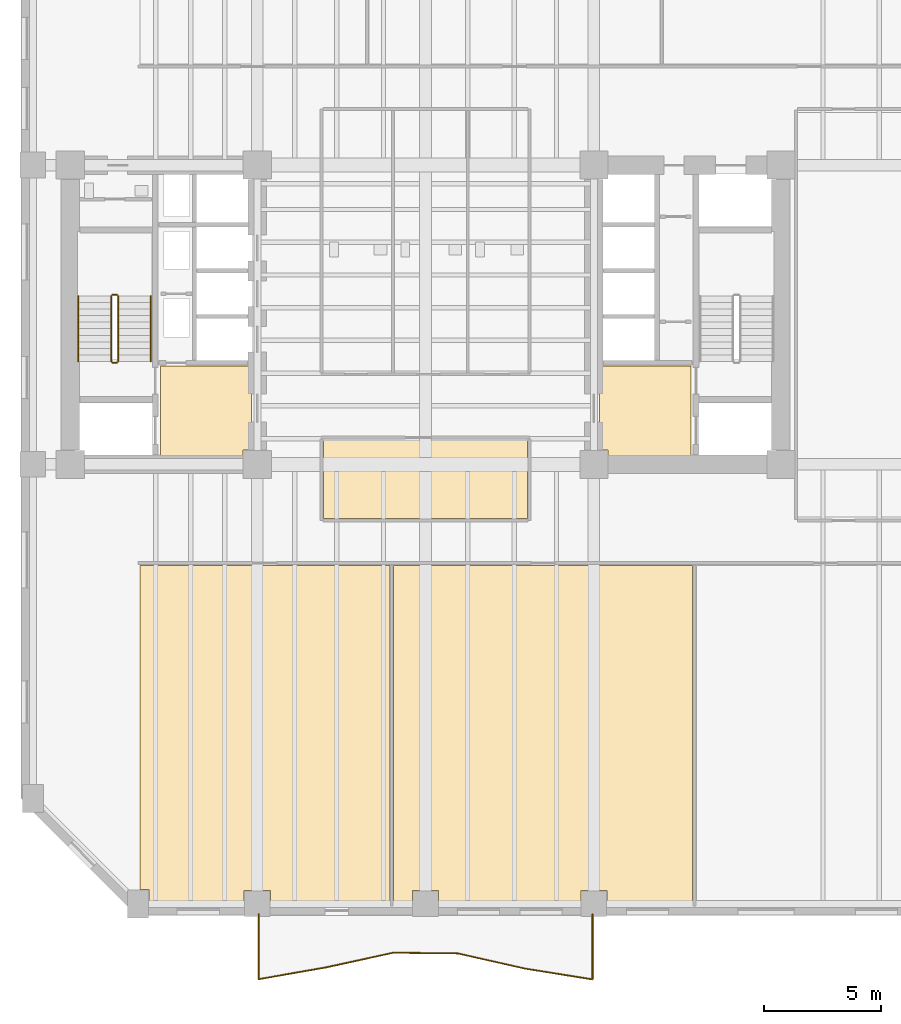
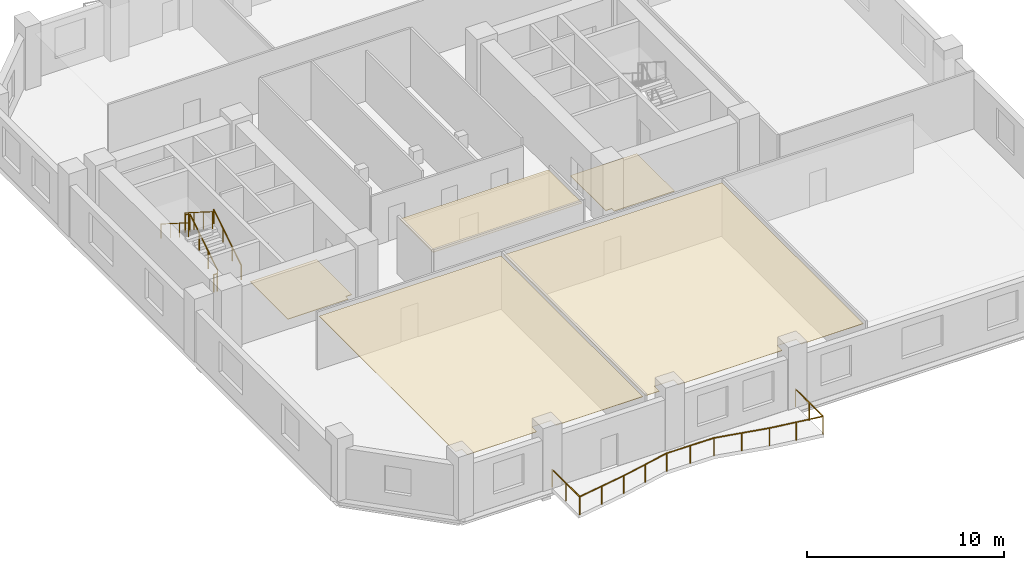
# One storey, part 6 of 9: 7 railings, 5 coverings.
"""IFC4 building model written with IfcOpenShell, lengths in metres."""

from ifc_helpers import new_model, si_unit, direction, frame, origin, origin_2d, place, context, subcontext, project, spatial, polyline, circle, outline, extrude, material, layer, layer_set, type_object, element, save


model = new_model("IFC4")

# Units and contexts
model_context = context("Model", 3, precision=1e-05, world=origin(), true_north=direction((0.0, 1.0)))
body_context = subcontext(model_context, "Body", "Model", "MODEL_VIEW")
ifc_project = project(units=[si_unit("LENGTHUNIT", "METRE"), si_unit("AREAUNIT", "SQUARE_METRE"), si_unit("VOLUMEUNIT", "CUBIC_METRE"), si_unit("PLANEANGLEUNIT", "RADIAN"), si_unit("MASSUNIT", "GRAM", prefix="KILO")], contexts=[model_context])

# Site, building, storey
site_placement = place(None, origin())
site = spatial("IfcSite", under=ifc_project, at=site_placement, CompositionType="ELEMENT")
building_placement = place(site_placement, origin())
building = spatial("IfcBuilding", under=site, at=building_placement, Name="Kranthara Brick Stack", CompositionType="ELEMENT")
storey_placement = place(building_placement, frame((0.0, 0.0, 51.60009765625)))
storey = spatial("IfcBuildingStorey", under=building, at=storey_placement, Name="L12", CompositionType="ELEMENT", Elevation=51.60009765625)

# Coverings
ifc_material_1 = material(Name="Perforated mineral-fibre acoustic ceiling tile", Category="other")
ifc_layer_1 = layer(ifc_material_1, 0.02490234375)
ifc_layer_set_1 = layer_set([ifc_layer_1], Name="Perforated mineral-fibre acoustic ceiling tile")
covering_type_1 = type_object("IfcCoveringType", Name="COV-CEIL-ACOUSTIC", PredefinedType="CEILING", material=ifc_layer_set_1)
covering_1_placement = place(storey_placement, frame((0.0, 0.0, 3.329833984375)))
element("IfcCovering", 1, at=covering_1_placement, inside=storey, type_object=covering_type_1, Name="L12 L12 Central Executive Briefing Room Acoustic Ceiling", PredefinedType="CEILING", context=body_context, shape_type="SweptSolid", body=[
    extrude(outline(polyline([(32.3701171875, 18.47998046875), (32.3701171875, 21.8798828125), (23.6298828125, 21.8798828125), (23.6298828125, 18.47998046875), (32.3701171875, 18.47998046875)])), origin(), (0.0, 0.0, 1.0), 0.025146484375),
])
covering_2_placement = place(storey_placement, frame((0.0, 0.0, 3.329833984375)))
element("IfcCovering", 2, at=covering_2_placement, inside=storey, type_object=covering_type_1, Name="L12 L12 Open Plan Workspace 1 Acoustic Ceiling", PredefinedType="CEILING", context=body_context, shape_type="SweptSolid", body=[
    extrude(outline(polyline([(26.469970703125, 16.47998046875), (26.469970703125, 2.070068359375), (21.360107421875, 2.070068359375), (21.360107421875, 2.56005859375), (20.239990234375, 2.56005859375), (20.239990234375, 2.070068359375), (16.159912109375, 2.070068359375), (16.159912109375, 2.610107421875), (15.780029296875, 2.610107421875), (15.780029296875, 16.47998046875), (26.469970703125, 16.47998046875)])), origin(), (0.0, 0.0, 1.0), 0.025146484375),
])
covering_3_placement = place(storey_placement, frame((0.0, 0.0, 3.329833984375)))
element("IfcCovering", 3, at=covering_3_placement, inside=storey, type_object=covering_type_1, Name="L12 L12 Boardroom 2 Acoustic Ceiling", PredefinedType="CEILING", context=body_context, shape_type="SweptSolid", body=[
    extrude(outline(polyline([(26.6298828125, 16.47998046875), (39.419921875, 16.47998046875), (39.419921875, 2.070068359375), (35.760009765625, 2.070068359375), (35.760009765625, 2.56005859375), (34.639892578125, 2.56005859375), (34.639892578125, 2.070068359375), (28.56005859375, 2.070068359375), (28.56005859375, 2.56005859375), (27.43994140625, 2.56005859375), (27.43994140625, 2.070068359375), (26.6298828125, 2.070068359375), (26.6298828125, 16.47998046875)])), origin(), (0.0, 0.0, 1.0), 0.025146484375),
])
ifc_material_2 = material(Name="Honed terrazzo and porcelain floor finish", Category="stone")
ifc_layer_2 = layer(ifc_material_2, 0.030029296875)
ifc_layer_set_2 = layer_set([ifc_layer_2], Name="Honed terrazzo and porcelain floor finish")
covering_type_2 = type_object("IfcCoveringType", Name="COV-FLOR-STONE", PredefinedType="FLOORING", material=ifc_layer_set_2)
covering_4_placement = place(storey_placement, origin())
element("IfcCovering", 4, at=covering_4_placement, inside=storey, type_object=covering_type_2, Name="L12 Lift Lobby Stone Flooring", PredefinedType="FLOORING", context=body_context, shape_type="SweptSolid", body=[
    extrude(outline(polyline([(16.64990234375, 21.14990234375), (16.64990234375, 25.0), (20.550048828125, 25.0), (20.550048828125, 21.409912109375), (20.18994140625, 21.409912109375), (20.18994140625, 21.14990234375), (16.64990234375, 21.14990234375)])), origin(), (0.0, 0.0, 1.0), 0.02978515625),
])
covering_5_placement = place(storey_placement, origin())
element("IfcCovering", 5, at=covering_5_placement, inside=storey, type_object=covering_type_2, Name="L12 Lift Lobby Stone Flooring", PredefinedType="FLOORING", context=body_context, shape_type="SweptSolid", body=[
    extrude(outline(polyline([(35.449951171875, 25.0), (39.35009765625, 25.0), (39.35009765625, 21.14990234375), (35.81005859375, 21.14990234375), (35.81005859375, 21.409912109375), (35.449951171875, 21.409912109375), (35.449951171875, 25.0)])), origin(), (0.0, 0.0, 1.0), 0.02978515625),
])

# Railings
ifc_material_3 = material(Name="Bronze anodised aluminium and laminated glass balustrade", Category="aluminium")
railing_type_1 = type_object("IfcRailingType", Name="RL-BALC-1120", PredefinedType="BALUSTRADE", material=ifc_material_3)
railing_1_placement = place(storey_placement, frame((35.139892578125, 1.56005859375, 0.0)))
element("IfcRailing", 6, at=railing_1_placement, inside=storey, type_object=railing_type_1, Name="L12 South Rippling Balcony Balustrade", PredefinedType="BALUSTRADE", context=body_context, shape_type="SweptSolid", body=[
    extrude(circle(Radius=0.02392578125, at=origin_2d()), frame((0.0, 0.0, 1.09619140625), z_axis=(0.000261917225, -0.9999999657, 0.0), x_axis=(0.9999999657, 0.000261917225, 0.0)), (0.0, 0.0, 1.0), 2.79638671875),
    extrude(circle(Radius=0.02392578125, at=origin_2d()), frame((0.000732421875, -2.79638671875, 1.09619140625), z_axis=(-0.987486556921, 0.157703201936, 0.0), x_axis=(-0.157703201936, -0.987486556921, 0.0)), (0.0, 0.0, 1.0), 2.91650390625),
    extrude(circle(Radius=0.02392578125, at=origin_2d()), frame((-2.87939453125, -2.33642578125, 1.09619140625), z_axis=(-0.975339493419, 0.22070992859, 0.0), x_axis=(-0.22070992859, -0.975339493419, 0.0)), (0.0, 0.0, 1.0), 2.953369140625),
    extrude(circle(Radius=0.02392578125, at=origin_2d()), frame((-5.760009765625, -1.6845703125, 1.09619140625), z_axis=(-0.999942725369, 0.010702615636, 0.0), x_axis=(-0.010702615636, -0.999942725369, 0.0)), (0.0, 0.0, 1.0), 2.76025390625),
    extrude(circle(Radius=0.02392578125, at=origin_2d()), frame((-8.52001953125, -1.655029296875, 1.09619140625), z_axis=(-0.977017642872, -0.213158451666, 0.0), x_axis=(0.213158451666, -0.977017642872, 0.0)), (0.0, 0.0, 1.0), 2.9482421875),
    extrude(circle(Radius=0.02392578125, at=origin_2d()), frame((-11.400390625, -2.283447265625, 1.09619140625), z_axis=(-0.985037201008, -0.172341848172, 0.0), x_axis=(0.172341848172, -0.985037201008, 0.0)), (0.0, 0.0, 1.0), 2.923828125),
    extrude(circle(Radius=0.02392578125, at=origin_2d()), frame((-14.280517578125, -2.787353515625, 1.09619140625), z_axis=(0.000262766042, 0.999999965477, 0.0), x_axis=(-0.999999965477, 0.000262766042, 0.0)), (0.0, 0.0, 1.0), 2.787353515625),
    extrude(circle(Radius=0.02099609375, at=origin_2d()), origin(), (0.0, 0.0, 1.0), 1.072021484375),
    extrude(circle(Radius=0.02099609375, at=origin_2d()), frame((0.00048828125, -1.398193359375, 0.0)), (0.0, 0.0, 1.0), 1.072021484375),
    extrude(circle(Radius=0.02099609375, at=origin_2d()), frame((0.000732421875, -2.79638671875, 0.0)), (0.0, 0.0, 1.0), 1.072021484375),
    extrude(circle(Radius=0.02099609375, at=origin_2d()), frame((-1.439453125, -2.56640625, 0.0)), (0.0, 0.0, 1.0), 1.072021484375),
    extrude(circle(Radius=0.02099609375, at=origin_2d()), frame((-2.87939453125, -2.33642578125, 0.0)), (0.0, 0.0, 1.0), 1.072021484375),
    extrude(circle(Radius=0.02099609375, at=origin_2d()), frame((-4.31982421875, -2.010498046875, 0.0)), (0.0, 0.0, 1.0), 1.072021484375),
    extrude(circle(Radius=0.02099609375, at=origin_2d()), frame((-5.760009765625, -1.6845703125, 0.0)), (0.0, 0.0, 1.0), 1.072021484375),
    extrude(circle(Radius=0.02099609375, at=origin_2d()), frame((-7.14013671875, -1.669921875, 0.0)), (0.0, 0.0, 1.0), 1.072021484375),
    extrude(circle(Radius=0.02099609375, at=origin_2d()), frame((-8.52001953125, -1.655029296875, 0.0)), (0.0, 0.0, 1.0), 1.072021484375),
    extrude(circle(Radius=0.02099609375, at=origin_2d()), frame((-9.960205078125, -1.96923828125, 0.0)), (0.0, 0.0, 1.0), 1.072021484375),
    extrude(circle(Radius=0.02099609375, at=origin_2d()), frame((-11.400390625, -2.283447265625, 0.0)), (0.0, 0.0, 1.0), 1.072021484375),
    extrude(circle(Radius=0.02099609375, at=origin_2d()), frame((-12.84033203125, -2.535400390625, 0.0)), (0.0, 0.0, 1.0), 1.072021484375),
    extrude(circle(Radius=0.02099609375, at=origin_2d()), frame((-14.280517578125, -2.787353515625, 0.0)), (0.0, 0.0, 1.0), 1.072021484375),
    extrude(circle(Radius=0.02099609375, at=origin_2d()), frame((-14.2802734375, -1.3935546875, 0.0)), (0.0, 0.0, 1.0), 1.072021484375),
    extrude(circle(Radius=0.02099609375, at=origin_2d()), frame((-14.27978515625, 0.0, 0.0)), (0.0, 0.0, 1.0), 1.072021484375),
])
ifc_material_4 = material(Name="Painted galvanized steel stair guardrail", Category="steel")
railing_type_2 = type_object("IfcRailingType", Name="RL-STAIR-GUARD-1100", PredefinedType="GUARDRAIL", material=ifc_material_4)
railing_2_placement = place(storey_placement, frame((14.85009765625, 25.199951171875, 0.17724609375)))
element("IfcRailing", 7, at=railing_2_placement, inside=storey, type_object=railing_type_2, Name="L12 ST01 stair guard 1", PredefinedType="GUARDRAIL", context=body_context, shape_type="SweptSolid", body=[
    extrude(circle(Radius=0.02392578125, at=origin_2d()), frame((0.0, 0.0, 1.076171875), z_axis=(0.0, 0.844908973607, 0.534910110503), x_axis=(-1.0, 0.0, 0.0)), (0.0, 0.0, 1.0), 3.31396484375),
    extrude(circle(Radius=0.02099609375, at=origin_2d()), origin(), (0.0, 0.0, 1.0), 1.052001953125),
    extrude(circle(Radius=0.02099609375, at=origin_2d()), frame((0.0, 0.933349609375, 0.5908203125)), (0.0, 0.0, 1.0), 1.052001953125),
    extrude(circle(Radius=0.02099609375, at=origin_2d()), frame((0.0, 1.86669921875, 1.181884765625)), (0.0, 0.0, 1.0), 1.052001953125),
    extrude(circle(Radius=0.02099609375, at=origin_2d()), frame((0.0, 2.800048828125, 1.772705078125)), (0.0, 0.0, 1.0), 1.052001953125),
])
railing_3_placement = place(storey_placement, frame((14.800048828125, 28.050048828125, 1.949951171875)))
element("IfcRailing", 8, at=railing_3_placement, inside=storey, type_object=railing_type_2, Name="L12 ST01 stair guard 2", PredefinedType="GUARDRAIL", context=body_context, shape_type="SweptSolid", body=[
    extrude(circle(Radius=0.02392578125, at=origin_2d()), frame((0.0, 0.0, 1.076171875), z_axis=(-1.0, 0.0, 0.0), x_axis=(0.0, -1.0, 0.0)), (0.0, 0.0, 1.0), 0.199951171875),
    extrude(circle(Radius=0.02099609375, at=origin_2d()), origin(), (0.0, 0.0, 1.0), 1.052001953125),
    extrude(circle(Radius=0.02099609375, at=origin_2d()), frame((-0.199951171875, 0.0, 0.0)), (0.0, 0.0, 1.0), 1.052001953125),
])
railing_4_placement = place(storey_placement, frame((14.550048828125, 28.0, 2.127197265625)))
element("IfcRailing", 9, at=railing_4_placement, inside=storey, type_object=railing_type_2, Name="L12 ST01 stair guard 3", PredefinedType="GUARDRAIL", context=body_context, shape_type="SweptSolid", body=[
    extrude(circle(Radius=0.02392578125, at=origin_2d()), frame((0.0, 0.0, 1.076171875), z_axis=(0.0, -0.844908973607, 0.534910110503), x_axis=(1.0, 0.0, 0.0)), (0.0, 0.0, 1.0), 3.31396484375),
    extrude(circle(Radius=0.02099609375, at=origin_2d()), origin(), (0.0, 0.0, 1.0), 1.052001953125),
    extrude(circle(Radius=0.02099609375, at=origin_2d()), frame((0.0, -0.933349609375, 0.5908203125)), (0.0, 0.0, 1.0), 1.052001953125),
    extrude(circle(Radius=0.02099609375, at=origin_2d()), frame((0.0, -1.86669921875, 1.181884765625)), (0.0, 0.0, 1.0), 1.052001953125),
    extrude(circle(Radius=0.02099609375, at=origin_2d()), frame((0.0, -2.800048828125, 1.772705078125)), (0.0, 0.0, 1.0), 1.052001953125),
])
railing_5_placement = place(storey_placement, frame((14.800048828125, 25.14990234375, 0.0)))
element("IfcRailing", 10, at=railing_5_placement, inside=storey, type_object=railing_type_2, Name="L12 ST01 stair guard 4", PredefinedType="GUARDRAIL", context=body_context, shape_type="SweptSolid", body=[
    extrude(circle(Radius=0.02392578125, at=origin_2d()), frame((0.0, 0.0, 1.076171875), z_axis=(-1.0, 0.0, 0.0), x_axis=(0.0, -1.0, 0.0)), (0.0, 0.0, 1.0), 0.199951171875),
    extrude(circle(Radius=0.02099609375, at=origin_2d()), origin(), (0.0, 0.0, 1.0), 1.052001953125),
    extrude(circle(Radius=0.02099609375, at=origin_2d()), frame((-0.199951171875, 0.0, 0.0)), (0.0, 0.0, 1.0), 1.052001953125),
])
ifc_material_5 = material(Name="Brushed stainless steel tubular handrail", Category="steel")
railing_type_3 = type_object("IfcRailingType", Name="RL-STAIR-HAND-900", PredefinedType="HANDRAIL", material=ifc_material_5)
railing_6_placement = place(storey_placement, frame((16.25, 25.199951171875, 0.17724609375)))
element("IfcRailing", 11, at=railing_6_placement, inside=storey, type_object=railing_type_3, Name="L12 ST01 stair handrail 1", PredefinedType="HANDRAIL", context=body_context, shape_type="SweptSolid", body=[
    extrude(circle(Radius=0.02392578125, at=origin_2d()), frame((0.0, 0.0, 0.8759765625), z_axis=(0.0, 0.844908973607, 0.534910110503), x_axis=(-1.0, 0.0, 0.0)), (0.0, 0.0, 1.0), 3.31396484375),
    extrude(circle(Radius=0.02099609375, at=origin_2d()), origin(), (0.0, 0.0, 1.0), 0.851806640625),
    extrude(circle(Radius=0.02099609375, at=origin_2d()), frame((0.0, 0.933349609375, 0.5908203125)), (0.0, 0.0, 1.0), 0.851806640625),
    extrude(circle(Radius=0.02099609375, at=origin_2d()), frame((0.0, 1.86669921875, 1.181884765625)), (0.0, 0.0, 1.0), 0.851806640625),
    extrude(circle(Radius=0.02099609375, at=origin_2d()), frame((0.0, 2.800048828125, 1.772705078125)), (0.0, 0.0, 1.0), 0.851806640625),
])
railing_7_placement = place(storey_placement, frame((13.14990234375, 28.0, 2.127197265625)))
element("IfcRailing", 12, at=railing_7_placement, inside=storey, type_object=railing_type_3, Name="L12 ST01 stair handrail 2", PredefinedType="HANDRAIL", context=body_context, shape_type="SweptSolid", body=[
    extrude(circle(Radius=0.02392578125, at=origin_2d()), frame((0.0, 0.0, 0.8759765625), z_axis=(0.0, -0.844908973607, 0.534910110503), x_axis=(1.0, 0.0, 0.0)), (0.0, 0.0, 1.0), 3.31396484375),
    extrude(circle(Radius=0.02099609375, at=origin_2d()), origin(), (0.0, 0.0, 1.0), 0.851806640625),
    extrude(circle(Radius=0.02099609375, at=origin_2d()), frame((0.0, -0.933349609375, 0.5908203125)), (0.0, 0.0, 1.0), 0.851806640625),
    extrude(circle(Radius=0.02099609375, at=origin_2d()), frame((0.0, -1.86669921875, 1.181884765625)), (0.0, 0.0, 1.0), 0.851806640625),
    extrude(circle(Radius=0.02099609375, at=origin_2d()), frame((0.0, -2.800048828125, 1.772705078125)), (0.0, 0.0, 1.0), 0.851806640625),
])

save(model, "model.ifc")
